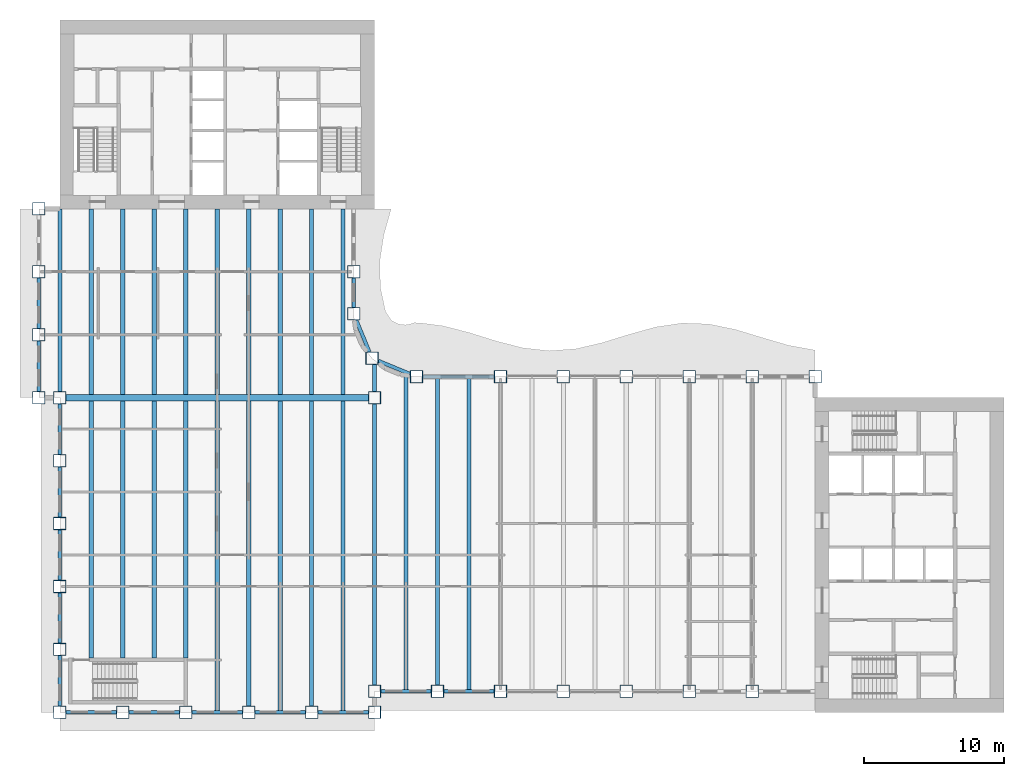
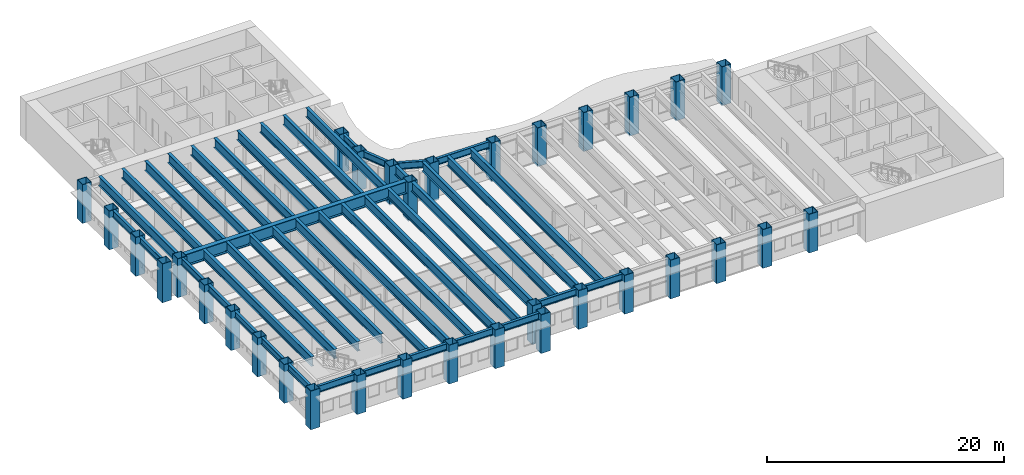
# One storey, part 1 of 17: 43 beams, 33 columns.
"""IFC4 building model written with IfcOpenShell, lengths in metres."""

from ifc_helpers import new_model, si_unit, direction, frame, origin, origin_2d, place, context, subcontext, project, spatial, hollow_rectangle, i_section, extrude, material, material_profile, profile_set, type_object, element, save


model = new_model("IFC4")

# Units and contexts
model_context = context("Model", 3, precision=1e-05, world=origin(), true_north=direction((0.0, 1.0)))
body_context = subcontext(model_context, "Body", "Model", "MODEL_VIEW")
ifc_project = project(units=[si_unit("LENGTHUNIT", "METRE"), si_unit("AREAUNIT", "SQUARE_METRE"), si_unit("VOLUMEUNIT", "CUBIC_METRE"), si_unit("PLANEANGLEUNIT", "RADIAN"), si_unit("MASSUNIT", "GRAM", prefix="KILO")], contexts=[model_context])

# Site, building, storey
site_placement = place(None, origin())
site = spatial("IfcSite", under=ifc_project, at=site_placement, CompositionType="ELEMENT")
building_placement = place(site_placement, origin())
building = spatial("IfcBuilding", under=site, at=building_placement, Name="Sennacour Bend Tower", CompositionType="ELEMENT")
storey_placement = place(building_placement, frame((0.0, 0.0, 151.0)))
storey = spatial("IfcBuildingStorey", under=building, at=storey_placement, Name="L34", CompositionType="ELEMENT", Elevation=151.0)

# Columns
ifc_material_1 = material(Name="Steel ASTM A572 Grade 50", Category="steel")
ifc_material_profile_1 = material_profile(ifc_material_1, hollow_rectangle(XDim=0.89990234375, YDim=0.89990234375, WallThickness=0.044921875, at=origin_2d()), Name="Steel ASTM A572 Grade 50", Category="steel")
ifc_profile_set_1 = profile_set([ifc_material_profile_1], Name="Steel ASTM A572 Grade 50")
column_type = type_object("IfcColumnType", Name="Box column 900", PredefinedType="COLUMN", material=ifc_profile_set_1)
for number, where, z_axis, x_axis, name in (
    (1, (-1.5, 22.5, -0.14990234375), (0.0, 0.0, 1.0), (1.0, 0.0, 0.0), "Perimeter column C3 L34-001"),
    (2, (-1.5, 27.0, -0.14990234375), (0.0, 0.0, 1.0), (1.0, 0.0, 0.0), "Perimeter column C3 L34-002"),
    (3, (-1.5, 31.5, -0.14990234375), (0.0, 0.0, 1.0), (1.0, 0.0, 0.0), "Perimeter column C3 L34-003"),
    (4, (-1.5, 36.0, -0.14990234375), (0.0, 0.0, 1.0), (1.0, 0.0, 0.0), "Perimeter column C3 L34-004"),
    (5, (0.0, 0.0, -0.14990234375), (0.0, 0.0, 1.0), (1.0, 0.0, 0.0), "Perimeter column C3 L34-005"),
    (6, (0.0, 4.5, -0.14990234375), (0.0, 0.0, 1.0), (1.0, 0.0, 0.0), "Perimeter column C3 L34-006"),
    (7, (0.0, 9.0, -0.14990234375), (0.0, 0.0, 1.0), (1.0, 0.0, 0.0), "Perimeter column C3 L34-007"),
    (8, (0.0, 13.5, -0.14990234375), (0.0, 0.0, 1.0), (1.0, 0.0, 0.0), "Perimeter column C3 L34-008"),
    (9, (0.0, 18.0, -0.14990234375), (0.0, 0.0, 1.0), (1.0, 0.0, 0.0), "Perimeter column C3 L34-009"),
    (10, (0.0, 22.5, -0.14990234375), (0.0, 0.0, 1.0), (1.0, 0.0, 0.0), "Perimeter column C3 L34-010"),
    (11, (4.5, 0.0, -0.14990234375), (0.0, 0.0, 1.0), (1.0, 0.0, 0.0), "Perimeter column C3 L34-011"),
    (12, (9.0, 0.0, -0.14990234375), (0.0, 0.0, 1.0), (1.0, 0.0, 0.0), "Perimeter column C3 L34-012"),
    (13, (13.5, 0.0, -0.14990234375), (0.0, 0.0, 1.0), (1.0, 0.0, 0.0), "Perimeter column C3 L34-013"),
    (14, (18.0, 0.0, -0.14990234375), (0.0, 0.0, 1.0), (1.0, 0.0, 0.0), "Perimeter column C3 L34-014"),
    (15, (21.0, 28.5, -0.14990234375), (0.0, 0.0, 1.0), (1.0, 0.0, 0.0), "Perimeter column C3 L34-015"),
    (16, (21.0, 31.5, -0.14990234375), (0.0, 0.0, 1.0), (1.0, 0.0, 0.0), "Perimeter column C3 L34-016"),
    (17, (22.318115234375, 25.318115234375, -0.14990234375), (0.0, 0.0, 1.0), (1.0, 0.0, 0.0), "Perimeter column C3 L34-017"),
    (18, (22.5, 0.0, -0.14990234375), (0.0, 0.0, 1.0), (1.0, 0.0, 0.0), "Perimeter column C3 L34-018"),
    (19, (22.5, 1.5, -0.14990234375), (0.0, 0.0, 1.0), (1.0, 0.0, 0.0), "Perimeter column C3 L34-019"),
    (20, (22.5, 22.5, -0.14990234375), (0.0, 0.0, 1.0), (1.0, 0.0, 0.0), "Knuckle column C3 L34-020"),
    (21, (25.5, 24.0, -0.14990234375), (0.0, 0.0, 1.0), (1.0, 0.0, 0.0), "Perimeter column C3 L34-021"),
    (22, (27.0, 1.5, -0.14990234375), (0.0, 0.0, 1.0), (1.0, 0.0, 0.0), "Perimeter column C3 L34-022"),
    (23, (31.5, 1.5, -0.14990234375), (0.0, 0.0, 1.0), (1.0, 0.0, 0.0), "Perimeter column C3 L34-023"),
    (24, (31.5, 24.0, -0.14990234375), (0.0, 0.0, 1.0), (1.0, 0.0, 0.0), "Perimeter column C3 L34-024"),
    (25, (36.0, 1.5, -0.14990234375), (0.0, 0.0, 1.0), (1.0, 0.0, 0.0), "Perimeter column C3 L34-025"),
    (26, (36.0, 24.0, -0.14990234375), (0.0, 0.0, 1.0), (1.0, 0.0, 0.0), "Perimeter column C3 L34-026"),
    (27, (40.5, 1.5, -0.14990234375), (0.0, 0.0, 1.0), (1.0, 0.0, 0.0), "Perimeter column C3 L34-027"),
    (28, (40.5, 24.0, -0.14990234375), (0.0, 0.0, 1.0), (1.0, 0.0, 0.0), "Perimeter column C3 L34-028"),
    (29, (45.0, 1.5, -0.14990234375), (0.0, 0.0, 1.0), (1.0, 0.0, 0.0), "Perimeter column C3 L34-029"),
    (30, (45.0, 24.0, -0.14990234375), (0.0, 0.0, 1.0), (1.0, 0.0, 0.0), "Perimeter column C3 L34-030"),
    (31, (49.5, 1.5, -0.14990234375), (0.0, 0.0, 1.0), (1.0, 0.0, 0.0), "Perimeter column C3 L34-031"),
    (32, (49.5, 24.0, -0.14990234375), (0.0, 0.0, 1.0), (1.0, 0.0, 0.0), "Perimeter column C3 L34-032"),
    (33, (54.0, 24.0, -0.14990234375), (0.0, 0.0, 1.0), (1.0, 0.0, 0.0), "Perimeter column C3 L34-033"),
):
    element("IfcColumn", number, at=place(storey_placement, frame(where, z_axis=z_axis, x_axis=x_axis)), inside=storey, type_object=column_type, Name=name, PredefinedType="COLUMN", context=body_context, shape_type="SweptSolid", body=[
        extrude(hollow_rectangle(XDim=0.89990234375, YDim=0.89990234375, WallThickness=0.044921875, at=origin_2d()), origin(), (0.0, 0.0, 1.0), 4.0),
    ])

# Beams
ifc_material_2 = material(Name="Steel ASTM A992 Grade 50", Category="steel")
ifc_material_profile_2 = material_profile(ifc_material_2, i_section(OverallWidth=0.300048828125, OverallDepth=0.97998046875, WebThickness=0.0166015625, FlangeThickness=0.026123046875, FilletRadius=0.02978515625, at=origin_2d()), Name="Steel ASTM A992 Grade 50", Category="steel")
ifc_profile_set_2 = profile_set([ifc_material_profile_2], Name="Steel ASTM A992 Grade 50")
beam_type_1 = type_object("IfcBeamType", Name="Floor beam W1000X249", PredefinedType="BEAM", material=ifc_profile_set_2)
beam_1_placement = place(storey_placement, frame((0.0, 22.949951171875, 3.360107421875), z_axis=(0.0, 1.0, 0.0), x_axis=(-1.0, 0.0, 0.0)))
element("IfcBeam", 34, at=beam_1_placement, inside=storey, type_object=beam_type_1, Name="Floor beam FBM2 L35-001", PredefinedType="BEAM", context=body_context, shape_type="SweptSolid", body=[
    extrude(i_section(OverallWidth=0.300048828125, OverallDepth=0.97998046875, WebThickness=0.0166015625, FlangeThickness=0.026123046875, FilletRadius=0.02978515625, at=origin_2d()), origin(), (0.0, 0.0, 1.0), 13.050048828125),
])
beam_2_placement = place(storey_placement, frame((2.25, 3.875, 3.360107421875), z_axis=(0.0, 1.0, 0.0), x_axis=(-1.0, 0.0, 0.0)))
element("IfcBeam", 35, at=beam_2_placement, inside=storey, type_object=beam_type_1, Name="Floor beam FBM2 L35-002", PredefinedType="BEAM", context=body_context, shape_type="SweptSolid", body=[
    extrude(i_section(OverallWidth=0.300048828125, OverallDepth=0.97998046875, WebThickness=0.0166015625, FlangeThickness=0.026123046875, FilletRadius=0.02978515625, at=origin_2d()), origin(), (0.0, 0.0, 1.0), 18.39990234375),
])
beam_3_placement = place(storey_placement, frame((2.25, 22.72509765625, 3.360107421875), z_axis=(0.0, 1.0, 0.0), x_axis=(-1.0, 0.0, 0.0)))
element("IfcBeam", 36, at=beam_3_placement, inside=storey, type_object=beam_type_1, Name="Floor beam FBM2 L35-003", PredefinedType="BEAM", context=body_context, shape_type="SweptSolid", body=[
    extrude(i_section(OverallWidth=0.300048828125, OverallDepth=0.97998046875, WebThickness=0.0166015625, FlangeThickness=0.026123046875, FilletRadius=0.02978515625, at=origin_2d()), origin(), (0.0, 0.0, 1.0), 13.27490234375),
])
beam_4_placement = place(storey_placement, frame((4.5, 3.875, 3.360107421875), z_axis=(0.0, 1.0, 0.0), x_axis=(-1.0, 0.0, 0.0)))
element("IfcBeam", 37, at=beam_4_placement, inside=storey, type_object=beam_type_1, Name="Floor beam FBM2 L35-004", PredefinedType="BEAM", context=body_context, shape_type="SweptSolid", body=[
    extrude(i_section(OverallWidth=0.300048828125, OverallDepth=0.97998046875, WebThickness=0.0166015625, FlangeThickness=0.026123046875, FilletRadius=0.02978515625, at=origin_2d()), origin(), (0.0, 0.0, 1.0), 18.39990234375),
])
beam_5_placement = place(storey_placement, frame((4.5, 22.72509765625, 3.360107421875), z_axis=(0.0, 1.0, 0.0), x_axis=(-1.0, 0.0, 0.0)))
element("IfcBeam", 38, at=beam_5_placement, inside=storey, type_object=beam_type_1, Name="Floor beam FBM2 L35-005", PredefinedType="BEAM", context=body_context, shape_type="SweptSolid", body=[
    extrude(i_section(OverallWidth=0.300048828125, OverallDepth=0.97998046875, WebThickness=0.0166015625, FlangeThickness=0.026123046875, FilletRadius=0.02978515625, at=origin_2d()), origin(), (0.0, 0.0, 1.0), 13.27490234375),
])
beam_6_placement = place(storey_placement, frame((6.75, 3.875, 3.360107421875), z_axis=(0.0, 1.0, 0.0), x_axis=(-1.0, 0.0, 0.0)))
element("IfcBeam", 39, at=beam_6_placement, inside=storey, type_object=beam_type_1, Name="Floor beam FBM2 L35-006", PredefinedType="BEAM", context=body_context, shape_type="SweptSolid", body=[
    extrude(i_section(OverallWidth=0.300048828125, OverallDepth=0.97998046875, WebThickness=0.0166015625, FlangeThickness=0.026123046875, FilletRadius=0.02978515625, at=origin_2d()), origin(), (0.0, 0.0, 1.0), 18.39990234375),
])
beam_7_placement = place(storey_placement, frame((6.75, 22.72509765625, 3.360107421875), z_axis=(0.0, 1.0, 0.0), x_axis=(-1.0, 0.0, 0.0)))
element("IfcBeam", 40, at=beam_7_placement, inside=storey, type_object=beam_type_1, Name="Floor beam FBM2 L35-007", PredefinedType="BEAM", context=body_context, shape_type="SweptSolid", body=[
    extrude(i_section(OverallWidth=0.300048828125, OverallDepth=0.97998046875, WebThickness=0.0166015625, FlangeThickness=0.026123046875, FilletRadius=0.02978515625, at=origin_2d()), origin(), (0.0, 0.0, 1.0), 13.27490234375),
])
beam_8_placement = place(storey_placement, frame((9.0, 3.875, 3.360107421875), z_axis=(0.0, 1.0, 0.0), x_axis=(-1.0, 0.0, 0.0)))
element("IfcBeam", 41, at=beam_8_placement, inside=storey, type_object=beam_type_1, Name="Floor beam FBM2 L35-008", PredefinedType="BEAM", context=body_context, shape_type="SweptSolid", body=[
    extrude(i_section(OverallWidth=0.300048828125, OverallDepth=0.97998046875, WebThickness=0.0166015625, FlangeThickness=0.026123046875, FilletRadius=0.02978515625, at=origin_2d()), origin(), (0.0, 0.0, 1.0), 18.39990234375),
])
beam_9_placement = place(storey_placement, frame((9.0, 22.72509765625, 3.360107421875), z_axis=(0.0, 1.0, 0.0), x_axis=(-1.0, 0.0, 0.0)))
element("IfcBeam", 42, at=beam_9_placement, inside=storey, type_object=beam_type_1, Name="Floor beam FBM2 L35-009", PredefinedType="BEAM", context=body_context, shape_type="SweptSolid", body=[
    extrude(i_section(OverallWidth=0.300048828125, OverallDepth=0.97998046875, WebThickness=0.0166015625, FlangeThickness=0.026123046875, FilletRadius=0.02978515625, at=origin_2d()), origin(), (0.0, 0.0, 1.0), 13.27490234375),
])
beam_10_placement = place(storey_placement, frame((11.25, 0.126953125, 3.360107421875), z_axis=(0.0, 1.0, 0.0), x_axis=(-1.0, 0.0, 0.0)))
element("IfcBeam", 43, at=beam_10_placement, inside=storey, type_object=beam_type_1, Name="Floor beam FBM2 L35-010", PredefinedType="BEAM", context=body_context, shape_type="SweptSolid", body=[
    extrude(i_section(OverallWidth=0.300048828125, OverallDepth=0.97998046875, WebThickness=0.0166015625, FlangeThickness=0.026123046875, FilletRadius=0.02978515625, at=origin_2d()), origin(), (0.0, 0.0, 1.0), 22.14794921875),
])
beam_11_placement = place(storey_placement, frame((11.25, 22.72509765625, 3.360107421875), z_axis=(0.0, 1.0, 0.0), x_axis=(-1.0, 0.0, 0.0)))
element("IfcBeam", 44, at=beam_11_placement, inside=storey, type_object=beam_type_1, Name="Floor beam FBM2 L35-011", PredefinedType="BEAM", context=body_context, shape_type="SweptSolid", body=[
    extrude(i_section(OverallWidth=0.300048828125, OverallDepth=0.97998046875, WebThickness=0.0166015625, FlangeThickness=0.026123046875, FilletRadius=0.02978515625, at=origin_2d()), origin(), (0.0, 0.0, 1.0), 13.27490234375),
])
beam_12_placement = place(storey_placement, frame((13.5, 0.449951171875, 3.360107421875), z_axis=(0.0, 1.0, 0.0), x_axis=(-1.0, 0.0, 0.0)))
element("IfcBeam", 45, at=beam_12_placement, inside=storey, type_object=beam_type_1, Name="Floor beam FBM2 L35-012", PredefinedType="BEAM", context=body_context, shape_type="SweptSolid", body=[
    extrude(i_section(OverallWidth=0.300048828125, OverallDepth=0.97998046875, WebThickness=0.0166015625, FlangeThickness=0.026123046875, FilletRadius=0.02978515625, at=origin_2d()), origin(), (0.0, 0.0, 1.0), 21.824951171875),
])
beam_13_placement = place(storey_placement, frame((13.5, 22.72509765625, 3.360107421875), z_axis=(0.0, 1.0, 0.0), x_axis=(-1.0, 0.0, 0.0)))
element("IfcBeam", 46, at=beam_13_placement, inside=storey, type_object=beam_type_1, Name="Floor beam FBM2 L35-013", PredefinedType="BEAM", context=body_context, shape_type="SweptSolid", body=[
    extrude(i_section(OverallWidth=0.300048828125, OverallDepth=0.97998046875, WebThickness=0.0166015625, FlangeThickness=0.026123046875, FilletRadius=0.02978515625, at=origin_2d()), origin(), (0.0, 0.0, 1.0), 13.27490234375),
])
beam_14_placement = place(storey_placement, frame((15.75, 0.126953125, 3.360107421875), z_axis=(0.0, 1.0, 0.0), x_axis=(-1.0, 0.0, 0.0)))
element("IfcBeam", 47, at=beam_14_placement, inside=storey, type_object=beam_type_1, Name="Floor beam FBM2 L35-014", PredefinedType="BEAM", context=body_context, shape_type="SweptSolid", body=[
    extrude(i_section(OverallWidth=0.300048828125, OverallDepth=0.97998046875, WebThickness=0.0166015625, FlangeThickness=0.026123046875, FilletRadius=0.02978515625, at=origin_2d()), origin(), (0.0, 0.0, 1.0), 22.14794921875),
])
beam_15_placement = place(storey_placement, frame((15.75, 22.72509765625, 3.360107421875), z_axis=(0.0, 1.0, 0.0), x_axis=(-1.0, 0.0, 0.0)))
element("IfcBeam", 48, at=beam_15_placement, inside=storey, type_object=beam_type_1, Name="Floor beam FBM2 L35-015", PredefinedType="BEAM", context=body_context, shape_type="SweptSolid", body=[
    extrude(i_section(OverallWidth=0.300048828125, OverallDepth=0.97998046875, WebThickness=0.0166015625, FlangeThickness=0.026123046875, FilletRadius=0.02978515625, at=origin_2d()), origin(), (0.0, 0.0, 1.0), 13.27490234375),
])
beam_16_placement = place(storey_placement, frame((18.0, 0.449951171875, 3.360107421875), z_axis=(0.0, 1.0, 0.0), x_axis=(-1.0, 0.0, 0.0)))
element("IfcBeam", 49, at=beam_16_placement, inside=storey, type_object=beam_type_1, Name="Floor beam FBM2 L35-016", PredefinedType="BEAM", context=body_context, shape_type="SweptSolid", body=[
    extrude(i_section(OverallWidth=0.300048828125, OverallDepth=0.97998046875, WebThickness=0.0166015625, FlangeThickness=0.026123046875, FilletRadius=0.02978515625, at=origin_2d()), origin(), (0.0, 0.0, 1.0), 21.824951171875),
])
beam_17_placement = place(storey_placement, frame((18.0, 22.72509765625, 3.360107421875), z_axis=(0.0, 1.0, 0.0), x_axis=(-1.0, 0.0, 0.0)))
element("IfcBeam", 50, at=beam_17_placement, inside=storey, type_object=beam_type_1, Name="Floor beam FBM2 L35-017", PredefinedType="BEAM", context=body_context, shape_type="SweptSolid", body=[
    extrude(i_section(OverallWidth=0.300048828125, OverallDepth=0.97998046875, WebThickness=0.0166015625, FlangeThickness=0.026123046875, FilletRadius=0.02978515625, at=origin_2d()), origin(), (0.0, 0.0, 1.0), 13.27490234375),
])
beam_18_placement = place(storey_placement, frame((20.25, 0.126953125, 3.360107421875), z_axis=(0.0, 1.0, 0.0), x_axis=(-1.0, 0.0, 0.0)))
element("IfcBeam", 51, at=beam_18_placement, inside=storey, type_object=beam_type_1, Name="Floor beam FBM2 L35-018", PredefinedType="BEAM", context=body_context, shape_type="SweptSolid", body=[
    extrude(i_section(OverallWidth=0.300048828125, OverallDepth=0.97998046875, WebThickness=0.0166015625, FlangeThickness=0.026123046875, FilletRadius=0.02978515625, at=origin_2d()), origin(), (0.0, 0.0, 1.0), 22.14794921875),
])
beam_19_placement = place(storey_placement, frame((20.25, 22.72509765625, 3.360107421875), z_axis=(0.0, 1.0, 0.0), x_axis=(-1.0, 0.0, 0.0)))
element("IfcBeam", 52, at=beam_19_placement, inside=storey, type_object=beam_type_1, Name="Floor beam FBM2 L35-019", PredefinedType="BEAM", context=body_context, shape_type="SweptSolid", body=[
    extrude(i_section(OverallWidth=0.300048828125, OverallDepth=0.97998046875, WebThickness=0.0166015625, FlangeThickness=0.026123046875, FilletRadius=0.02978515625, at=origin_2d()), origin(), (0.0, 0.0, 1.0), 13.27490234375),
])
beam_20_placement = place(storey_placement, frame((22.5, 1.949951171875, 3.360107421875), z_axis=(0.0, 1.0, 0.0), x_axis=(-1.0, 0.0, 0.0)))
element("IfcBeam", 53, at=beam_20_placement, inside=storey, type_object=beam_type_1, Name="Floor beam FBM2 L35-020", PredefinedType="BEAM", context=body_context, shape_type="SweptSolid", body=[
    extrude(i_section(OverallWidth=0.300048828125, OverallDepth=0.97998046875, WebThickness=0.0166015625, FlangeThickness=0.026123046875, FilletRadius=0.02978515625, at=origin_2d()), origin(), (0.0, 0.0, 1.0), 20.10009765625),
])
beam_21_placement = place(storey_placement, frame((22.5, 22.949951171875, 3.360107421875), z_axis=(0.0, 1.0, 0.0), x_axis=(-1.0, 0.0, 0.0)))
element("IfcBeam", 54, at=beam_21_placement, inside=storey, type_object=beam_type_1, Name="Floor beam FBM2 L35-021", PredefinedType="BEAM", context=body_context, shape_type="SweptSolid", body=[
    extrude(i_section(OverallWidth=0.300048828125, OverallDepth=0.97998046875, WebThickness=0.0166015625, FlangeThickness=0.026123046875, FilletRadius=0.02978515625, at=origin_2d()), origin(), (0.0, 0.0, 1.0), 1.91796875),
])
beam_22_placement = place(storey_placement, frame((24.75, 1.626953125, 3.360107421875), z_axis=(0.0, 1.0, 0.0), x_axis=(-1.0, 0.0, 0.0)))
element("IfcBeam", 55, at=beam_22_placement, inside=storey, type_object=beam_type_1, Name="Floor beam FBM2 L35-022", PredefinedType="BEAM", context=body_context, shape_type="SweptSolid", body=[
    extrude(i_section(OverallWidth=0.300048828125, OverallDepth=0.97998046875, WebThickness=0.0166015625, FlangeThickness=0.026123046875, FilletRadius=0.02978515625, at=origin_2d()), origin(), (0.0, 0.0, 1.0), 22.546142578125),
])
beam_23_placement = place(storey_placement, frame((27.0, 1.949951171875, 3.360107421875), z_axis=(0.0, 1.0, 0.0), x_axis=(-1.0, 0.0, 0.0)))
element("IfcBeam", 56, at=beam_23_placement, inside=storey, type_object=beam_type_1, Name="Floor beam FBM2 L35-023", PredefinedType="BEAM", context=body_context, shape_type="SweptSolid", body=[
    extrude(i_section(OverallWidth=0.300048828125, OverallDepth=0.97998046875, WebThickness=0.0166015625, FlangeThickness=0.026123046875, FilletRadius=0.02978515625, at=origin_2d()), origin(), (0.0, 0.0, 1.0), 21.923095703125),
])
beam_24_placement = place(storey_placement, frame((29.25, 1.626953125, 3.360107421875), z_axis=(0.0, 1.0, 0.0), x_axis=(-1.0, 0.0, 0.0)))
element("IfcBeam", 57, at=beam_24_placement, inside=storey, type_object=beam_type_1, Name="Floor beam FBM2 L35-024", PredefinedType="BEAM", context=body_context, shape_type="SweptSolid", body=[
    extrude(i_section(OverallWidth=0.300048828125, OverallDepth=0.97998046875, WebThickness=0.0166015625, FlangeThickness=0.026123046875, FilletRadius=0.02978515625, at=origin_2d()), origin(), (0.0, 0.0, 1.0), 22.24609375),
])
ifc_material_profile_3 = material_profile(ifc_material_1, i_section(OverallWidth=0.449951171875, OverallDepth=1.25, WebThickness=0.028076171875, FlangeThickness=0.050048828125, at=origin_2d()), Name="Steel ASTM A572 Grade 50", Category="steel")
ifc_profile_set_3 = profile_set([ifc_material_profile_3], Name="Steel ASTM A572 Grade 50")
beam_type_2 = type_object("IfcBeamType", Name="Knuckle girder 1250", PredefinedType="USERDEFINED", material=ifc_profile_set_3)
beam_25_placement = place(storey_placement, frame((0.449951171875, 22.5, 3.22509765625), z_axis=(1.0, 0.0, 0.0), x_axis=(0.0, 1.0, 0.0)))
element("IfcBeam", 58, at=beam_25_placement, inside=storey, type_object=beam_type_2, Name="Knuckle girder GK L35-001", ObjectType="KNUCKLE GIRDER", PredefinedType="USERDEFINED", context=body_context, shape_type="SweptSolid", body=[
    extrude(i_section(OverallWidth=0.449951171875, OverallDepth=1.25, WebThickness=0.028076171875, FlangeThickness=0.050048828125, at=origin_2d()), origin(), (0.0, 0.0, 1.0), 21.60009765625),
])
ifc_material_profile_4 = material_profile(ifc_material_2, i_section(OverallWidth=0.25390625, OverallDepth=0.700927734375, WebThickness=0.015380859375, FlangeThickness=0.02783203125, FilletRadius=0.015380859375, at=origin_2d()), Name="Steel ASTM A992 Grade 50", Category="steel")
ifc_profile_set_4 = profile_set([ifc_material_profile_4], Name="Steel ASTM A992 Grade 50")
beam_type_3 = type_object("IfcBeamType", Name="Spandrel beam W690X192", PredefinedType="SPANDREL", material=ifc_profile_set_4)
for number, where, z_axis, x_axis, name in (
    (59, (0.0, 0.449951171875, 3.49951171875), (0.0, 1.0, 0.0), (-1.0, 0.0, 0.0), "Spandrel beam SP4 L35-001"),
    (60, (0.0, 4.949951171875, 3.49951171875), (0.0, 1.0, 0.0), (-1.0, 0.0, 0.0), "Spandrel beam SP4 L35-002"),
    (61, (0.0, 9.449951171875, 3.49951171875), (0.0, 1.0, 0.0), (-1.0, 0.0, 0.0), "Spandrel beam SP4 L35-003"),
    (62, (0.0, 13.949951171875, 3.49951171875), (0.0, 1.0, 0.0), (-1.0, 0.0, 0.0), "Spandrel beam SP4 L35-004"),
    (63, (0.0, 18.449951171875, 3.49951171875), (0.0, 1.0, 0.0), (-1.0, 0.0, 0.0), "Spandrel beam SP4 L35-005"),
    (64, (-1.5, 22.949951171875, 3.49951171875), (0.0, 1.0, 0.0), (-1.0, 0.0, 0.0), "Spandrel beam SP4 L35-006"),
    (65, (-1.5, 27.449951171875, 3.49951171875), (0.0, 1.0, 0.0), (-1.0, 0.0, 0.0), "Spandrel beam SP4 L35-007"),
):
    element("IfcBeam", number, at=place(storey_placement, frame(where, z_axis=z_axis, x_axis=x_axis)), inside=storey, type_object=beam_type_3, Name=name, PredefinedType="SPANDREL", context=body_context, shape_type="SweptSolid", body=[
        extrude(i_section(OverallWidth=0.25390625, OverallDepth=0.700927734375, WebThickness=0.015380859375, FlangeThickness=0.02783203125, FilletRadius=0.015380859375, at=origin_2d()), origin(), (0.0, 0.0, 1.0), 3.60009765625),
    ])
beam_26_placement = place(storey_placement, frame((21.0, 31.050048828125, 3.49951171875), z_axis=(0.0, -1.0, 0.0), x_axis=(1.0, 0.0, 0.0)))
element("IfcBeam", 66, at=beam_26_placement, inside=storey, type_object=beam_type_3, Name="Spandrel beam SP4 L35-011", PredefinedType="SPANDREL", context=body_context, shape_type="SweptSolid", body=[
    extrude(i_section(OverallWidth=0.25390625, OverallDepth=0.700927734375, WebThickness=0.015380859375, FlangeThickness=0.02783203125, FilletRadius=0.015380859375, at=origin_2d()), origin(), (0.0, 0.0, 1.0), 2.10009765625),
])
for number, where, z_axis, x_axis, name in (
    (67, (21.186279296875, 28.050048828125, 3.49951171875), (0.382712608723, -0.923867446728, 0.0), (0.923867446728, 0.382712608723, 0.0), "Spandrel beam SP4 L35-012"),
    (68, (22.76806640625, 25.131591796875, 3.49951171875), (0.923867446728, -0.382712608723, 0.0), (0.382712608723, 0.923867446728, 0.0), "Spandrel beam SP4 L35-013"),
):
    element("IfcBeam", number, at=place(storey_placement, frame(where, z_axis=z_axis, x_axis=x_axis)), inside=storey, type_object=beam_type_3, Name=name, PredefinedType="SPANDREL", context=body_context, shape_type="SweptSolid", body=[
        extrude(i_section(OverallWidth=0.25390625, OverallDepth=0.700927734375, WebThickness=0.015380859375, FlangeThickness=0.02783203125, FilletRadius=0.015380859375, at=origin_2d()), origin(), (0.0, 0.0, 1.0), 2.469970703125),
    ])
beam_27_placement = place(storey_placement, frame((25.949951171875, 24.0, 3.49951171875), z_axis=(1.0, 0.0, 0.0), x_axis=(0.0, 1.0, 0.0)))
element("IfcBeam", 69, at=beam_27_placement, inside=storey, type_object=beam_type_3, Name="Spandrel beam SP4 L35-014", PredefinedType="SPANDREL", context=body_context, shape_type="SweptSolid", body=[
    extrude(i_section(OverallWidth=0.25390625, OverallDepth=0.700927734375, WebThickness=0.015380859375, FlangeThickness=0.02783203125, FilletRadius=0.015380859375, at=origin_2d()), origin(), (0.0, 0.0, 1.0), 5.10009765625),
])
for number, where, z_axis, x_axis, name in (
    (70, (31.050048828125, 1.5, 3.49951171875), (-1.0, 0.0, 0.0), (0.0, -1.0, 0.0), "Spandrel beam SP4 L35-026"),
    (71, (26.550048828125, 1.5, 3.49951171875), (-1.0, 0.0, 0.0), (0.0, -1.0, 0.0), "Spandrel beam SP4 L35-027"),
    (72, (22.050048828125, 0.0, 3.49951171875), (-1.0, 0.0, 0.0), (0.0, -1.0, 0.0), "Spandrel beam SP4 L35-028"),
    (73, (17.550048828125, 0.0, 3.49951171875), (-1.0, 0.0, 0.0), (0.0, -1.0, 0.0), "Spandrel beam SP4 L35-029"),
    (74, (13.050048828125, 0.0, 3.49951171875), (-1.0, 0.0, 0.0), (0.0, -1.0, 0.0), "Spandrel beam SP4 L35-030"),
    (75, (8.550048828125, 0.0, 3.49951171875), (-1.0, 0.0, 0.0), (0.0, -1.0, 0.0), "Spandrel beam SP4 L35-031"),
    (76, (4.050048828125, 0.0, 3.49951171875), (-1.0, 0.0, 0.0), (0.0, -1.0, 0.0), "Spandrel beam SP4 L35-032"),
):
    element("IfcBeam", number, at=place(storey_placement, frame(where, z_axis=z_axis, x_axis=x_axis)), inside=storey, type_object=beam_type_3, Name=name, PredefinedType="SPANDREL", context=body_context, shape_type="SweptSolid", body=[
        extrude(i_section(OverallWidth=0.25390625, OverallDepth=0.700927734375, WebThickness=0.015380859375, FlangeThickness=0.02783203125, FilletRadius=0.015380859375, at=origin_2d()), origin(), (0.0, 0.0, 1.0), 3.60009765625),
    ])

save(model, "model.ifc")
